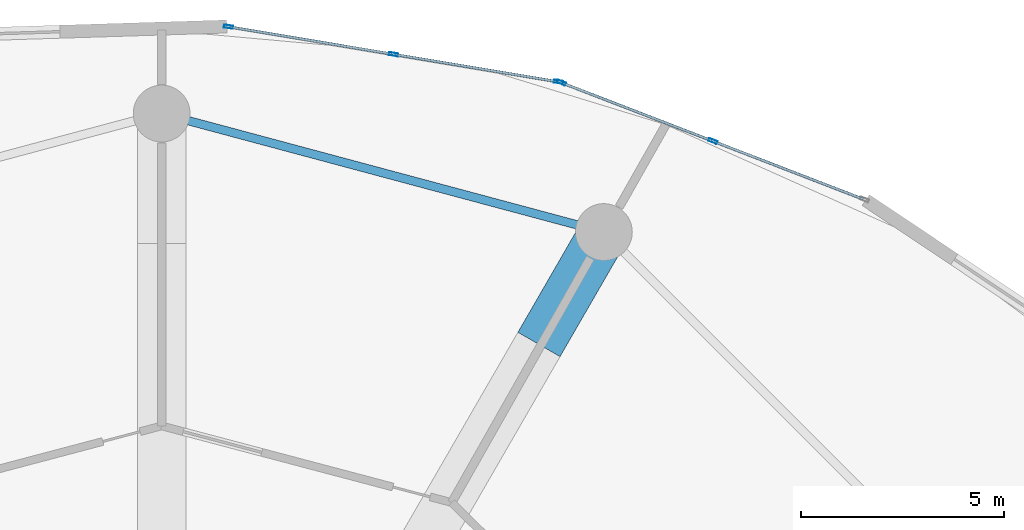
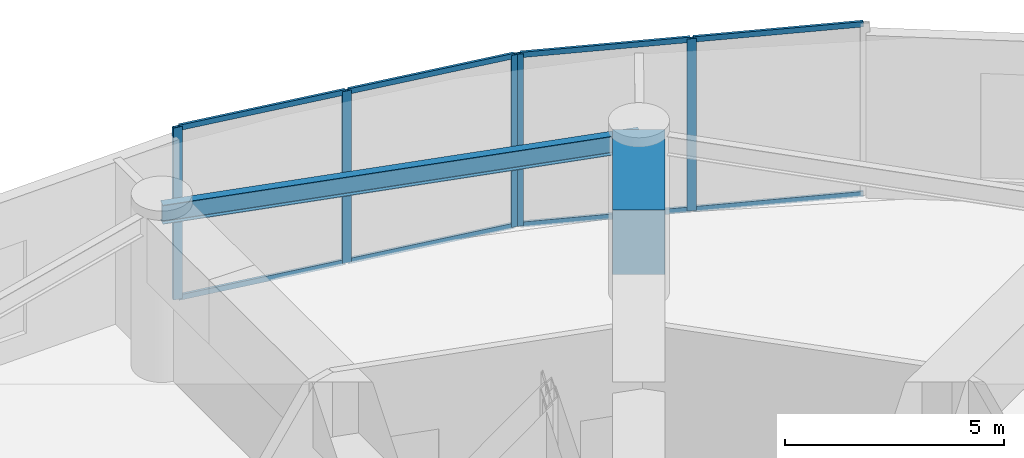
# One storey, part 18 of 27: 13 members, 2 beams, 2 elements without a shape of their own.
"""IFC4 building model written with IfcOpenShell, lengths in metres."""

from ifc_helpers import new_model, si_unit, direction, frame, origin, origin_2d, place, context, subcontext, project, spatial, rectangle, hollow_rectangle, i_section, extrude, source, transform, mapped, material, layer, layer_set, material_profile, profile_set, type_object, element, aggregate, save


model = new_model("IFC4")

# Units and contexts
model_context = context("Model", 3, precision=1e-05, world=origin(), true_north=direction((0.0, 1.0)))
body_context = subcontext(model_context, "Body", "Model", "MODEL_VIEW")
ifc_project = project(units=[si_unit("LENGTHUNIT", "METRE"), si_unit("AREAUNIT", "SQUARE_METRE"), si_unit("VOLUMEUNIT", "CUBIC_METRE"), si_unit("PLANEANGLEUNIT", "RADIAN"), si_unit("MASSUNIT", "GRAM", prefix="KILO")], contexts=[model_context])

# Site, building, storey
site_placement = place(None, origin())
site = spatial("IfcSite", under=ifc_project, at=site_placement, CompositionType="ELEMENT")
building_placement = place(site_placement, origin())
building = spatial("IfcBuilding", under=site, at=building_placement, Name="Solvirekh Grand Hotel", CompositionType="ELEMENT")
storey_placement = place(building_placement, frame((0.0, 0.0, 23.60009765625)))
storey = spatial("IfcBuildingStorey", under=building, at=storey_placement, Name="L04", CompositionType="ELEMENT", Elevation=23.60009765625)

# Beams
ifc_material_1 = material(Name="Steel S355", Category="steel")
ifc_material_profile_1 = material_profile(ifc_material_1, i_section(OverallWidth=0.208984375, OverallDepth=0.532958984375, WebThickness=0.010009765625, FlangeThickness=0.014892578125, FilletRadius=0.013916015625, at=origin_2d()), Name="W530X92")
ifc_profile_set_1 = profile_set([ifc_material_profile_1], Name="Steel S355")
beam_type_1 = type_object("IfcBeamType", Name="Spandrel_Ring_W530", PredefinedType="SPANDREL", material=ifc_profile_set_1)
beam_1_placement = place(storey_placement, frame((10.89990234375, 18.87890625, 4.27294921875), z_axis=(-0.965914248703, 0.258862249378, 0.0), x_axis=(-0.258862249378, -0.965914248703, 0.0)))
element("IfcBeam", 1, at=beam_1_placement, inside=storey, type_object=beam_type_1, Name="L04 perimeter spandrel beam 3", PredefinedType="SPANDREL", context=body_context, shape_type="SweptSolid", body=[
    extrude(i_section(OverallWidth=0.208984375, OverallDepth=0.532958984375, WebThickness=0.010009765625, FlangeThickness=0.014892578125, FilletRadius=0.013916015625, at=origin_2d()), origin(), (0.0, 0.0, 1.0), 11.284423828125),
])
ifc_material_2 = material(Name="Concrete C60/75", Category="concrete")
ifc_material_profile_2 = material_profile(ifc_material_2, rectangle(XDim=1.199951171875, YDim=1.800048828125, at=origin_2d()), Name="RC GIRDER 1200X1800")
ifc_profile_set_2 = profile_set([ifc_material_profile_2], Name="Concrete C60/75")
beam_type_2 = type_object("IfcBeamType", Name="TransferGirder_RC1800", PredefinedType="USERDEFINED", material=ifc_profile_set_2)
beam_2_placement = place(storey_placement, frame((9.300048828125, 16.10791015625, 3.639892578125), z_axis=(0.50000426018, 0.866022944154, 0.0), x_axis=(-0.866022944154, 0.50000426018, 0.0)))
element("IfcBeam", 2, at=beam_2_placement, inside=storey, type_object=beam_type_2, Name="L04 outer radial transfer girder 3B", ObjectType="TRANSFER GIRDER", PredefinedType="USERDEFINED", context=body_context, shape_type="SweptSolid", body=[
    extrude(rectangle(XDim=1.199951171875, YDim=1.800048828125, at=origin_2d()), origin(), (0.0, 0.0, 1.0), 3.19970703125),
])

# Curtain wall, members
ifc_material_3 = material(Name="Anodized Bronze Aluminium 6063-T6", Category="aluminium")
ifc_layer = layer(ifc_material_3, 0.219970703125)
ifc_layer_set = layer_set([ifc_layer], Name="Anodized Bronze Aluminium 6063-T6")
curtain_wall_type = type_object("IfcCurtainWallType", Name="CW_Sys1_PodiumBronzeUnitised", PredefinedType="NOTDEFINED", material=ifc_layer_set)
curtain_wall_1_placement = place(storey_placement, origin())
curtain_wall_1 = element("IfcCurtainWall", 3, at=curtain_wall_1_placement, inside=storey, type_object=curtain_wall_type, Name="L04 unitised bronze-glass curtain wall CW-L04-C05", PredefinedType="NOTDEFINED")
ifc_material_profile_3 = material_profile(ifc_material_3, hollow_rectangle(XDim=0.06494140625, YDim=0.14990234375, WallThickness=0.0048828125, at=origin_2d()), Name="ALU RHS 150X65X5")
ifc_profile_set_3 = profile_set([ifc_material_profile_3], Name="Anodized Bronze Aluminium 6063-T6")
member_type_1 = type_object("IfcMemberType", Name="CWTransom_Sys1", PredefinedType="USERDEFINED", material=ifc_profile_set_3)
shared_shape_1 = source(origin(), body_context, "Body", "SweptSolid", [
    extrude(hollow_rectangle(XDim=0.06494140625, YDim=0.14990234375, WallThickness=0.0048828125, at=origin_2d()), origin(), (0.0, 0.0, 1.0), 3.928466796875),
])
member_1_placement = place(storey_placement, frame((17.2861328125, 19.693115234375, 0.032470703125), z_axis=(-0.932946202148, 0.360015810621, 0.0), x_axis=(-0.360015810621, -0.932946202148, 0.0)))
member_1 = element("IfcMember", 4, at=member_1_placement, type_object=member_type_1, Name="U01 transom 1.1", ObjectType="TRANSOM", PredefinedType="USERDEFINED", context=body_context, shape_type="MappedRepresentation", body=[
    mapped(shared_shape_1, transform((0.0, 0.0, 0.0), x_axis=(1.0, 0.0, 0.0), y_axis=(0.0, 1.0, 0.0), z_axis=(0.0, 0.0, 1.0), scale=1.0)),
])
member_2_placement = place(storey_placement, frame((17.2861328125, 19.693115234375, 4.767333984375), z_axis=(-0.932946202148, 0.360015810621, 0.0), x_axis=(-0.360015810621, -0.932946202148, 0.0)))
member_2 = element("IfcMember", 5, at=member_2_placement, type_object=member_type_1, Name="U01 transom 1.2", ObjectType="TRANSOM", PredefinedType="USERDEFINED", context=body_context, shape_type="MappedRepresentation", body=[
    mapped(shared_shape_1, transform((0.0, 0.0, 0.0), x_axis=(1.0, 0.0, 0.0), y_axis=(0.0, 1.0, 0.0), z_axis=(0.0, 0.0, 1.0), scale=1.0)),
])
member_3_placement = place(storey_placement, frame((13.551025390625, 21.134521484375, 0.032470703125), z_axis=(-0.932925327502, 0.360069900583, 0.0), x_axis=(-0.360069900583, -0.932925327502, 0.0)))
member_3 = element("IfcMember", 6, at=member_3_placement, type_object=member_type_1, Name="U01 transom 2.1", ObjectType="TRANSOM", PredefinedType="USERDEFINED", context=body_context, shape_type="MappedRepresentation", body=[
    mapped(shared_shape_1, transform((0.0, 0.0, 0.0), x_axis=(1.0, 0.0, 0.0), y_axis=(0.0, 1.0, 0.0), z_axis=(0.0, 0.0, 1.0), scale=1.0)),
])
member_4_placement = place(storey_placement, frame((13.551025390625, 21.134521484375, 4.767333984375), z_axis=(-0.932925327502, 0.360069900583, 0.0), x_axis=(-0.360069900583, -0.932925327502, 0.0)))
member_4 = element("IfcMember", 7, at=member_4_placement, type_object=member_type_1, Name="U01 transom 2.2", ObjectType="TRANSOM", PredefinedType="USERDEFINED", context=body_context, shape_type="MappedRepresentation", body=[
    mapped(shared_shape_1, transform((0.0, 0.0, 0.0), x_axis=(1.0, 0.0, 0.0), y_axis=(0.0, 1.0, 0.0), z_axis=(0.0, 0.0, 1.0), scale=1.0)),
])

curtain_wall_2_placement = place(storey_placement, origin())
curtain_wall_2 = element("IfcCurtainWall", 8, at=curtain_wall_2_placement, inside=storey, type_object=curtain_wall_type, Name="L04 unitised bronze-glass curtain wall CW-L04-C06", PredefinedType="NOTDEFINED")
shared_shape_2 = source(origin(), body_context, "Body", "SweptSolid", [
    extrude(hollow_rectangle(XDim=0.06494140625, YDim=0.14990234375, WallThickness=0.0048828125, at=origin_2d()), origin(), (0.0, 0.0, 1.0), 4.048583984375),
])
member_5_placement = place(storey_placement, frame((9.741943359375, 22.58837890625, 0.032470703125), z_axis=(-0.986356413293, 0.164623892419, 0.0), x_axis=(-0.164623892419, -0.986356413293, 0.0)))
member_5 = element("IfcMember", 9, at=member_5_placement, type_object=member_type_1, Name="U01 transom 1.1", ObjectType="TRANSOM", PredefinedType="USERDEFINED", context=body_context, shape_type="MappedRepresentation", body=[
    mapped(shared_shape_2, transform((0.0, 0.0, 0.0), x_axis=(1.0, 0.0, 0.0), y_axis=(0.0, 1.0, 0.0), z_axis=(0.0, 0.0, 1.0), scale=1.0)),
])
member_6_placement = place(storey_placement, frame((9.741943359375, 22.58837890625, 4.767333984375), z_axis=(-0.986356413293, 0.164623892419, 0.0), x_axis=(-0.164623892419, -0.986356413293, 0.0)))
member_6 = element("IfcMember", 10, at=member_6_placement, type_object=member_type_1, Name="U01 transom 1.2", ObjectType="TRANSOM", PredefinedType="USERDEFINED", context=body_context, shape_type="MappedRepresentation", body=[
    mapped(shared_shape_2, transform((0.0, 0.0, 0.0), x_axis=(1.0, 0.0, 0.0), y_axis=(0.0, 1.0, 0.0), z_axis=(0.0, 0.0, 1.0), scale=1.0)),
])
shared_shape_3 = source(origin(), body_context, "Body", "SweptSolid", [
    extrude(hollow_rectangle(XDim=0.06494140625, YDim=0.14990234375, WallThickness=0.0048828125, at=origin_2d()), origin(), (0.0, 0.0, 1.0), 4.048828125),
])
member_7_placement = place(storey_placement, frame((5.674560546875, 23.26708984375, 0.032470703125), z_axis=(-0.986358047388, 0.164614101319, 0.0), x_axis=(-0.164614101319, -0.986358047388, 0.0)))
member_7 = element("IfcMember", 11, at=member_7_placement, type_object=member_type_1, Name="U01 transom 2.1", ObjectType="TRANSOM", PredefinedType="USERDEFINED", context=body_context, shape_type="MappedRepresentation", body=[
    mapped(shared_shape_3, transform((0.0, 0.0, 0.0), x_axis=(1.0, 0.0, 0.0), y_axis=(0.0, 1.0, 0.0), z_axis=(0.0, 0.0, 1.0), scale=1.0)),
])
member_8_placement = place(storey_placement, frame((5.674560546875, 23.26708984375, 4.767333984375), z_axis=(-0.986358047388, 0.164614101319, 0.0), x_axis=(-0.164614101319, -0.986358047388, 0.0)))
member_8 = element("IfcMember", 12, at=member_8_placement, type_object=member_type_1, Name="U01 transom 2.2", ObjectType="TRANSOM", PredefinedType="USERDEFINED", context=body_context, shape_type="MappedRepresentation", body=[
    mapped(shared_shape_3, transform((0.0, 0.0, 0.0), x_axis=(1.0, 0.0, 0.0), y_axis=(0.0, 1.0, 0.0), z_axis=(0.0, 0.0, 1.0), scale=1.0)),
])

# Member
ifc_material_profile_4 = material_profile(ifc_material_3, hollow_rectangle(XDim=0.074951171875, YDim=0.219970703125, WallThickness=0.006103515625, at=origin_2d()), Name="ALU RHS 220X75X6")
ifc_profile_set_4 = profile_set([ifc_material_profile_4], Name="Anodized Bronze Aluminium 6063-T6")
member_type_2 = type_object("IfcMemberType", Name="CWMullion_Sys1", PredefinedType="MULLION", material=ifc_profile_set_4)
shared_shape_4 = source(origin(), body_context, "Body", "SweptSolid", [
    extrude(hollow_rectangle(XDim=0.074951171875, YDim=0.219970703125, WallThickness=0.006103515625, at=origin_2d()), origin(), (0.0, 0.0, 1.0), 4.7998046875),
])
member_9_placement = place(storey_placement, frame((13.5859375, 21.12109375, 0.0), z_axis=(0.0, 0.0, 1.0), x_axis=(-0.360056701252, -0.93293042178, 0.0)))
member_9 = element("IfcMember", 13, at=member_9_placement, type_object=member_type_2, Name="U01 mullion 2", PredefinedType="MULLION", context=body_context, shape_type="MappedRepresentation", body=[
    mapped(shared_shape_4, transform((0.0, 0.0, 0.0), x_axis=(1.0, 0.0, 0.0), y_axis=(0.0, 1.0, 0.0), z_axis=(0.0, 0.0, 1.0), scale=1.0)),
])

member_10_placement = place(storey_placement, frame((9.85107421875, 22.5625, 0.0), z_axis=(0.0, 0.0, 1.0), x_axis=(-0.360056701252, -0.93293042178, 0.0)))
member_10 = element("IfcMember", 14, at=member_10_placement, type_object=member_type_2, Name="U01 mullion 3", PredefinedType="MULLION", context=body_context, shape_type="MappedRepresentation", body=[
    mapped(shared_shape_4, transform((0.0, 0.0, 0.0), x_axis=(1.0, 0.0, 0.0), y_axis=(0.0, 1.0, 0.0), z_axis=(0.0, 0.0, 1.0), scale=1.0)),
])

aggregate(curtain_wall_1, [member_9, member_10, member_1, member_2, member_3, member_4])

member_11_placement = place(storey_placement, frame((9.779052734375, 22.582275390625, 0.0), z_axis=(0.0, 0.0, 1.0), x_axis=(-0.16461331522, -0.98635817858, 0.0)))
member_11 = element("IfcMember", 15, at=member_11_placement, type_object=member_type_2, Name="U01 mullion 1", PredefinedType="MULLION", context=body_context, shape_type="MappedRepresentation", body=[
    mapped(shared_shape_4, transform((0.0, 0.0, 0.0), x_axis=(1.0, 0.0, 0.0), y_axis=(0.0, 1.0, 0.0), z_axis=(0.0, 0.0, 1.0), scale=1.0)),
])

member_12_placement = place(storey_placement, frame((5.71142578125, 23.260986328125, 0.0), z_axis=(0.0, 0.0, 1.0), x_axis=(-0.16461331522, -0.98635817858, 0.0)))
member_12 = element("IfcMember", 16, at=member_12_placement, type_object=member_type_2, Name="U01 mullion 2", PredefinedType="MULLION", context=body_context, shape_type="MappedRepresentation", body=[
    mapped(shared_shape_4, transform((0.0, 0.0, 0.0), x_axis=(1.0, 0.0, 0.0), y_axis=(0.0, 1.0, 0.0), z_axis=(0.0, 0.0, 1.0), scale=1.0)),
])

member_13_placement = place(storey_placement, frame((1.64404296875, 23.93994140625, 0.0), z_axis=(0.0, 0.0, 1.0), x_axis=(-0.16461331522, -0.98635817858, 0.0)))
member_13 = element("IfcMember", 17, at=member_13_placement, type_object=member_type_2, Name="U01 mullion 3", PredefinedType="MULLION", context=body_context, shape_type="MappedRepresentation", body=[
    mapped(shared_shape_4, transform((0.0, 0.0, 0.0), x_axis=(1.0, 0.0, 0.0), y_axis=(0.0, 1.0, 0.0), z_axis=(0.0, 0.0, 1.0), scale=1.0)),
])

aggregate(curtain_wall_2, [member_11, member_12, member_13, member_5, member_6, member_7, member_8])

save(model, "model.ifc")
